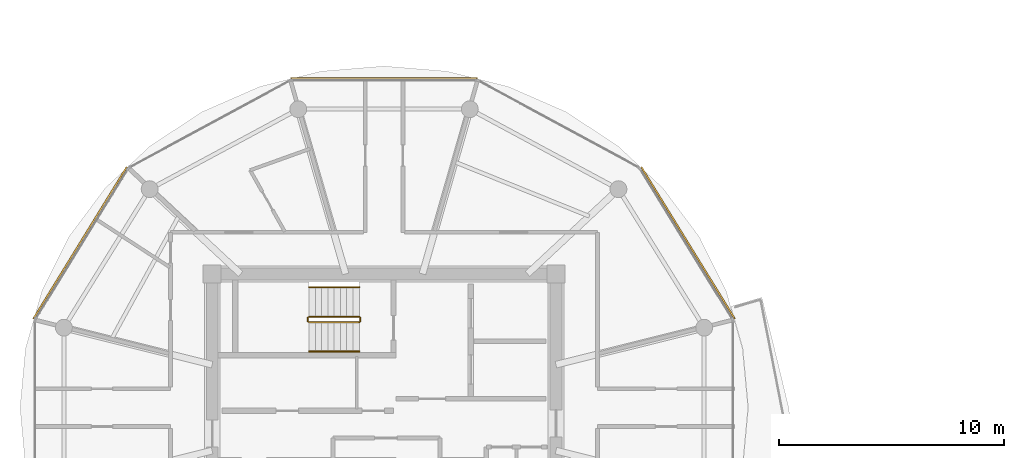
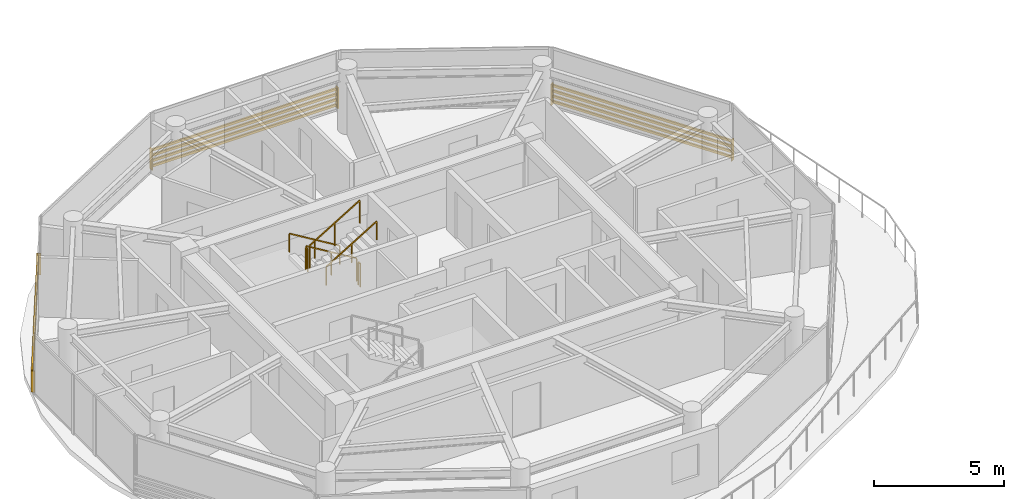
# One storey, part 16 of 19: 6 railings, 3 shading devices.
"""IFC4 building model written with IfcOpenShell, lengths in metres."""

from ifc_helpers import new_model, si_unit, direction, frame, origin, origin_2d, place, context, subcontext, project, spatial, rectangle, extrude, source, transform, mapped, material, type_object, type_shapes, element, save


model = new_model("IFC4")

# Units and contexts
model_context = context("Model", 3, precision=1e-05, world=origin(), true_north=direction((0.0, 1.0)))
body_context = subcontext(model_context, "Body", "Model", "MODEL_VIEW")
ifc_project = project(units=[si_unit("LENGTHUNIT", "METRE"), si_unit("AREAUNIT", "SQUARE_METRE"), si_unit("VOLUMEUNIT", "CUBIC_METRE"), si_unit("PLANEANGLEUNIT", "RADIAN"), si_unit("MASSUNIT", "GRAM", prefix="KILO")], contexts=[model_context])

# Site, building, storey
site_placement = place(None, origin())
site = spatial("IfcSite", under=ifc_project, at=site_placement, CompositionType="ELEMENT")
building_placement = place(site_placement, origin())
building = spatial("IfcBuilding", under=site, at=building_placement, Name="Norrkilde Senior Care Towers", CompositionType="ELEMENT")
storey_placement = place(building_placement, frame((0.0, 0.0, 238.300048828125)))
storey = spatial("IfcBuildingStorey", under=building, at=storey_placement, Name="L74", CompositionType="ELEMENT", Elevation=238.300048828125)

# Railings
ifc_material_1 = material(Name="Stainless Steel", Category="steel")
railing_type_1 = type_object("IfcRailingType", Name="Stair and Terrace Guardrail 1100", PredefinedType="GUARDRAIL", material=ifc_material_1)
railing_1_placement = place(storey_placement, frame((-29.10009765625, 4.050048828125, 0.16943359375)))
element("IfcRailing", 1, at=railing_1_placement, inside=storey, type_object=railing_type_1, Name="L74 ST-W1 stair guard 1", PredefinedType="GUARDRAIL", context=body_context, shape_type="SweptSolid", body=[
    extrude(rectangle(XDim=0.048095703125, YDim=0.048095703125, at=origin_2d()), frame((0.0, 0.0, 1.076171875), z_axis=(-0.855553338991, 0.0, 0.51771467445), x_axis=(0.0, -1.0, 0.0)), (0.0, 0.0, 1.0), 2.6181640625),
    extrude(rectangle(XDim=0.0419921875, YDim=0.0419921875, at=origin_2d()), origin(), (0.0, 0.0, 1.0), 1.050048828125),
    extrude(rectangle(XDim=0.0419921875, YDim=0.0419921875, at=origin_2d()), frame((-1.1201171875, 0.0, 0.677734375)), (0.0, 0.0, 1.0), 1.050048828125),
    extrude(rectangle(XDim=0.0419921875, YDim=0.0419921875, at=origin_2d()), frame((-2.239990234375, 0.0, 1.35546875)), (0.0, 0.0, 1.0), 1.050048828125),
])
railing_2_placement = place(storey_placement, frame((-31.389892578125, 4.0, 1.52490234375)))
element("IfcRailing", 2, at=railing_2_placement, inside=storey, type_object=railing_type_1, Name="L74 ST-W1 stair guard 2", PredefinedType="GUARDRAIL", context=body_context, shape_type="SweptSolid", body=[
    extrude(rectangle(XDim=0.048095703125, YDim=0.048095703125, at=origin_2d()), frame((0.0, 0.0, 1.076171875), z_axis=(0.0, -1.0, 0.0), x_axis=(1.0, 0.0, 0.0)), (0.0, 0.0, 1.0), 0.14990234375),
    extrude(rectangle(XDim=0.0419921875, YDim=0.0419921875, at=origin_2d()), origin(), (0.0, 0.0, 1.0), 1.050048828125),
    extrude(rectangle(XDim=0.0419921875, YDim=0.0419921875, at=origin_2d()), frame((0.0, -0.14990234375, 0.0)), (0.0, 0.0, 1.0), 1.050048828125),
])
railing_3_placement = place(storey_placement, frame((-31.340087890625, 3.800048828125, 1.6943359375)))
element("IfcRailing", 3, at=railing_3_placement, inside=storey, type_object=railing_type_1, Name="L74 ST-W1 stair guard 3", PredefinedType="GUARDRAIL", context=body_context, shape_type="SweptSolid", body=[
    extrude(rectangle(XDim=0.048095703125, YDim=0.048095703125, at=origin_2d()), frame((0.0, 0.0, 1.076171875), z_axis=(0.855512035549, 0.0, 0.517782924622), x_axis=(0.0, 1.0, 0.0)), (0.0, 0.0, 1.0), 2.618408203125),
    extrude(rectangle(XDim=0.0419921875, YDim=0.0419921875, at=origin_2d()), origin(), (0.0, 0.0, 1.0), 1.050048828125),
    extrude(rectangle(XDim=0.0419921875, YDim=0.0419921875, at=origin_2d()), frame((1.1201171875, 0.0, 0.677734375)), (0.0, 0.0, 1.0), 1.050048828125),
    extrude(rectangle(XDim=0.0419921875, YDim=0.0419921875, at=origin_2d()), frame((2.239990234375, 0.0, 1.355712890625)), (0.0, 0.0, 1.0), 1.050048828125),
])
railing_4_placement = place(storey_placement, frame((-29.050048828125, 4.0, 0.0)))
element("IfcRailing", 4, at=railing_4_placement, inside=storey, type_object=railing_type_1, Name="L74 ST-W1 stair guard 4", PredefinedType="GUARDRAIL", context=body_context, shape_type="SweptSolid", body=[
    extrude(rectangle(XDim=0.048095703125, YDim=0.048095703125, at=origin_2d()), frame((0.0, 0.0, 1.076171875), z_axis=(0.0, -1.0, 0.0), x_axis=(1.0, 0.0, 0.0)), (0.0, 0.0, 1.0), 0.14990234375),
    extrude(rectangle(XDim=0.0419921875, YDim=0.0419921875, at=origin_2d()), origin(), (0.0, 0.0, 1.0), 1.050048828125),
    extrude(rectangle(XDim=0.0419921875, YDim=0.0419921875, at=origin_2d()), frame((0.0, -0.14990234375, 0.0)), (0.0, 0.0, 1.0), 1.050048828125),
])
ifc_material_2 = material(Name="Nordic Ash Timber", Category="wood")
railing_type_2 = type_object("IfcRailingType", Name="Wall and Stair Handrail 900", PredefinedType="HANDRAIL", material=ifc_material_2)
railing_5_placement = place(storey_placement, frame((-29.10009765625, 5.35009765625, 0.16943359375)))
element("IfcRailing", 5, at=railing_5_placement, inside=storey, type_object=railing_type_2, Name="L74 ST-W1 stair handrail 1", PredefinedType="HANDRAIL", context=body_context, shape_type="SweptSolid", body=[
    extrude(rectangle(XDim=0.048095703125, YDim=0.048095703125, at=origin_2d()), frame((0.0, 0.0, 0.8759765625), z_axis=(-0.855553338991, 0.0, 0.51771467445), x_axis=(0.0, -1.0, 0.0)), (0.0, 0.0, 1.0), 2.6181640625),
    extrude(rectangle(XDim=0.0419921875, YDim=0.0419921875, at=origin_2d()), origin(), (0.0, 0.0, 1.0), 0.849853515625),
    extrude(rectangle(XDim=0.0419921875, YDim=0.0419921875, at=origin_2d()), frame((-1.1201171875, 0.0, 0.677734375)), (0.0, 0.0, 1.0), 0.849853515625),
    extrude(rectangle(XDim=0.0419921875, YDim=0.0419921875, at=origin_2d()), frame((-2.239990234375, 0.0, 1.35546875)), (0.0, 0.0, 1.0), 0.849853515625),
])
railing_6_placement = place(storey_placement, frame((-31.340087890625, 2.5, 1.6943359375)))
element("IfcRailing", 6, at=railing_6_placement, inside=storey, type_object=railing_type_2, Name="L74 ST-W1 stair handrail 2", PredefinedType="HANDRAIL", context=body_context, shape_type="SweptSolid", body=[
    extrude(rectangle(XDim=0.048095703125, YDim=0.048095703125, at=origin_2d()), frame((0.0, 0.0, 0.8759765625), z_axis=(0.855512035549, 0.0, 0.517782924622), x_axis=(0.0, 1.0, 0.0)), (0.0, 0.0, 1.0), 2.618408203125),
    extrude(rectangle(XDim=0.0419921875, YDim=0.0419921875, at=origin_2d()), origin(), (0.0, 0.0, 1.0), 0.849853515625),
    extrude(rectangle(XDim=0.0419921875, YDim=0.0419921875, at=origin_2d()), frame((1.1201171875, 0.0, 0.677734375)), (0.0, 0.0, 1.0), 0.849853515625),
    extrude(rectangle(XDim=0.0419921875, YDim=0.0419921875, at=origin_2d()), frame((2.239990234375, 0.0, 1.355712890625)), (0.0, 0.0, 1.0), 0.849853515625),
])

# Shading devices
ifc_material_3 = material(Name="Architectural Terracotta", Category="masonry")
shading_device_type = type_object("IfcShadingDeviceType", Name="Horizontal Terracotta Baguette Rack", PredefinedType="USERDEFINED", material=ifc_material_3)
shared_shape_1 = source(origin(), body_context, "Body", "SweptSolid", [
    extrude(rectangle(XDim=0.070068359375, YDim=0.110107421875, at=origin_2d()), frame((0.0, 0.090087890625, 0.125), z_axis=(1.0, 0.0, 0.0), x_axis=(0.0, 1.0, 0.0)), (0.0, 0.0, 1.0), 7.938232421875),
    extrude(rectangle(XDim=0.070068359375, YDim=0.110107421875, at=origin_2d()), frame((0.0, 0.090087890625, 0.375), z_axis=(1.0, 0.0, 0.0), x_axis=(0.0, 1.0, 0.0)), (0.0, 0.0, 1.0), 7.938232421875),
    extrude(rectangle(XDim=0.070068359375, YDim=0.110107421875, at=origin_2d()), frame((0.0, 0.090087890625, 0.625), z_axis=(1.0, 0.0, 0.0), x_axis=(0.0, 1.0, 0.0)), (0.0, 0.0, 1.0), 7.938232421875),
    extrude(rectangle(XDim=0.070068359375, YDim=0.110107421875, at=origin_2d()), frame((0.0, 0.090087890625, 0.875), z_axis=(1.0, 0.0, 0.0), x_axis=(0.0, 1.0, 0.0)), (0.0, 0.0, 1.0), 7.938232421875),
    extrude(rectangle(XDim=0.050048828125, YDim=0.1552734375, at=origin_2d()), frame((0.02490234375, 0.047607421875, 0.0)), (0.0, 0.0, 1.0), 1.0),
    extrude(rectangle(XDim=0.050048828125, YDim=0.1552734375, at=origin_2d()), frame((7.9130859375, 0.047607421875, 0.0)), (0.0, 0.0, 1.0), 1.0),
])
for number, where, z_axis, x_axis, name in (
    (7, (-16.629638671875, 10.6630859375, 0.079833984375), (0.0, 0.0, 1.0), (0.524250345994, -0.851576195602, 0.0), "L74 Drum W Terracotta Baguette Screen 00"),
    (8, (-43.531982421875, 3.903076171875, 0.079833984375), (0.0, 0.0, 1.0), (0.524250345994, 0.851576195602, 0.0), "L74 Drum W Terracotta Baguette Screen 04"),
):
    element("IfcShadingDevice", number, at=place(storey_placement, frame(where, z_axis=z_axis, x_axis=x_axis)), inside=storey, type_object=shading_device_type, Name=name, ObjectType="BAGUETTE", PredefinedType="USERDEFINED", context=body_context, shape_type="MappedRepresentation", body=[
        mapped(shared_shape_1, transform((0.0, 0.0, 0.0), x_axis=(1.0, 0.0, 0.0), y_axis=(0.0, 1.0, 0.0), z_axis=(0.0, 0.0, 1.0), scale=1.0)),
    ])
shared_shape_2 = source(origin(), body_context, "Body", "SweptSolid", [
    extrude(rectangle(XDim=0.070068359375, YDim=0.110107421875, at=origin_2d()), frame((0.0, 0.090087890625, 0.125), z_axis=(1.0, 0.0, 0.0), x_axis=(0.0, 1.0, 0.0)), (0.0, 0.0, 1.0), 8.32373046875),
    extrude(rectangle(XDim=0.070068359375, YDim=0.110107421875, at=origin_2d()), frame((0.0, 0.090087890625, 0.375), z_axis=(1.0, 0.0, 0.0), x_axis=(0.0, 1.0, 0.0)), (0.0, 0.0, 1.0), 8.32373046875),
    extrude(rectangle(XDim=0.070068359375, YDim=0.110107421875, at=origin_2d()), frame((0.0, 0.090087890625, 0.625), z_axis=(1.0, 0.0, 0.0), x_axis=(0.0, 1.0, 0.0)), (0.0, 0.0, 1.0), 8.32373046875),
    extrude(rectangle(XDim=0.070068359375, YDim=0.110107421875, at=origin_2d()), frame((0.0, 0.090087890625, 0.875), z_axis=(1.0, 0.0, 0.0), x_axis=(0.0, 1.0, 0.0)), (0.0, 0.0, 1.0), 8.32373046875),
    extrude(rectangle(XDim=0.050048828125, YDim=0.1552734375, at=origin_2d()), frame((0.02490234375, 0.047607421875, 0.0)), (0.0, 0.0, 1.0), 1.0),
    extrude(rectangle(XDim=0.050048828125, YDim=0.1552734375, at=origin_2d()), frame((8.298828125, 0.047607421875, 0.0)), (0.0, 0.0, 1.0), 1.0),
])
type_shapes(shading_device_type, [shared_shape_1, shared_shape_2])
shading_device_placement = place(storey_placement, frame((-32.161865234375, 14.566162109375, 0.079833984375), z_axis=(0.0, 0.0, 1.0), x_axis=(1.0, 0.0, 0.0)))
element("IfcShadingDevice", 9, at=shading_device_placement, inside=storey, type_object=shading_device_type, Name="L74 Drum W Terracotta Baguette Screen 02", ObjectType="BAGUETTE", PredefinedType="USERDEFINED", context=body_context, shape_type="MappedRepresentation", body=[
    mapped(shared_shape_2, transform((0.0, 0.0, 0.0), x_axis=(1.0, 0.0, 0.0), y_axis=(0.0, 1.0, 0.0), z_axis=(0.0, 0.0, 1.0), scale=1.0)),
])

save(model, "model.ifc")
